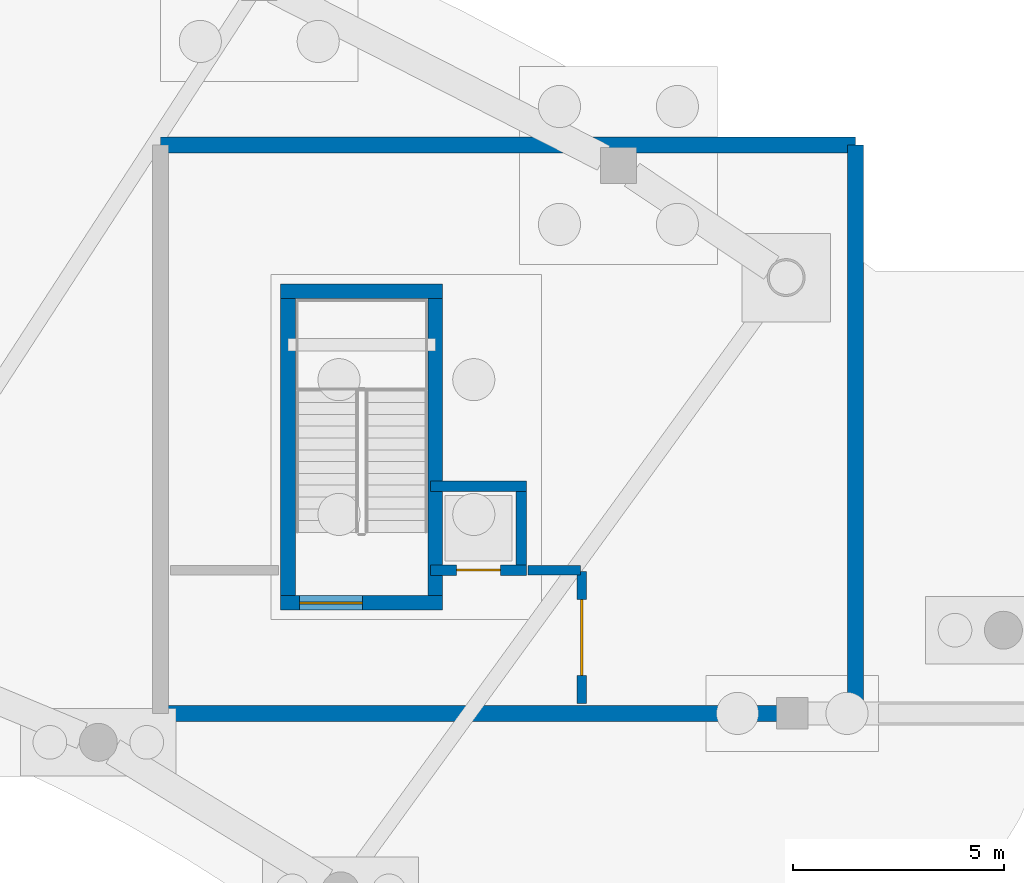
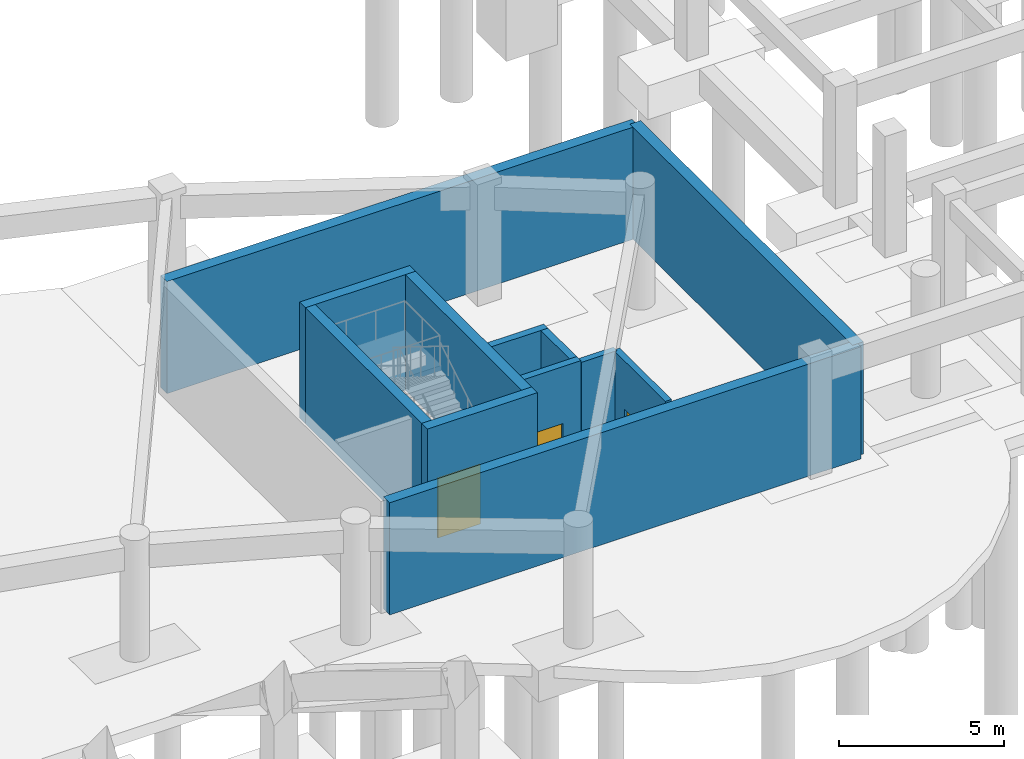
# One storey, part 18 of 28: 12 walls, 3 doors, 3 openings.
"""IFC4 building model written with IfcOpenShell, lengths in metres."""

from ifc_helpers import new_model, si_unit, direction, frame, frame_2d, origin, place, context, subcontext, project, spatial, rectangle, extrude, material, layer, layer_set, type_object, element, fill, save


model = new_model("IFC4")

# Units and contexts
model_context = context("Model", 3, precision=1e-05, world=origin(), true_north=direction((0.0, 1.0)))
body_context = subcontext(model_context, "Body", "Model", "MODEL_VIEW")
ifc_project = project(units=[si_unit("LENGTHUNIT", "METRE"), si_unit("AREAUNIT", "SQUARE_METRE"), si_unit("VOLUMEUNIT", "CUBIC_METRE"), si_unit("PLANEANGLEUNIT", "RADIAN"), si_unit("MASSUNIT", "GRAM", prefix="KILO")], contexts=[model_context])

# Site, building, storey
site_placement = place(None, origin())
site = spatial("IfcSite", under=ifc_project, at=site_placement, CompositionType="ELEMENT")
building_placement = place(site_placement, origin())
building = spatial("IfcBuilding", under=site, at=building_placement, Name="Miralva Faculty of Natural Sciences", CompositionType="ELEMENT")
storey_placement = place(building_placement, frame((0.0, 0.0, -4.5)))
storey = spatial("IfcBuildingStorey", under=building, at=storey_placement, Name="B1", CompositionType="ELEMENT", Elevation=-4.5)

# Wall, opening, door
ifc_material_1 = material(Name="Concrete C50/60", Category="concrete")
ifc_layer_1 = layer(ifc_material_1, 0.35009765625, Name="WL-CW02")
ifc_layer_set_1 = layer_set([ifc_layer_1], Name="Concrete C50/60")
wall_type_1 = type_object("IfcWallType", Name="WL-CW02", PredefinedType="SHEAR", material=ifc_layer_set_1)
wall_1_placement = place(storey_placement, frame((113.85009765625, 20.625, 0.0), z_axis=(0.0, 0.0, 1.0), x_axis=(1.0, 0.0, 0.0)))
wall_1 = element("IfcWall", 1, at=wall_1_placement, inside=storey, type_object=wall_type_1, Name="Core C3 shear wall south B1", PredefinedType="SHEAR", context=body_context, shape_type="SweptSolid", body=[
    extrude(rectangle(XDim=3.849853515625, YDim=0.35009765625, at=frame_2d((1.9248046875, 0.0))), origin(), (0.0, 0.0, 1.0), 4.280029296875),
])
opening_1_placement = place(wall_1_placement, frame((0.449951171875, 0.0, 0.0)))
opening_1 = element("IfcOpeningElement", 2, at=opening_1_placement, cuts=wall_1, Name="Opening D-11", PredefinedType="OPENING", context=body_context, shape_type="SweptSolid", body=[
    extrude(rectangle(XDim=1.5, YDim=2.199951171875, at=frame_2d((0.75, 1.10009765625))), frame((0.0, 0.18505859375, 0.0), z_axis=(0.0, -1.0, 0.0), x_axis=(1.0, 0.0, 0.0)), (0.0, 0.0, 1.0), 0.3701171875),
])
ifc_material_2 = material(Name="Galvanised steel", Category="steel")
door_type_1 = type_object("IfcDoorType", Name="DR-DI11", OperationType="DOUBLE_DOOR_SINGLE_SWING", PredefinedType="DOOR", material=ifc_material_2)
door_1_placement = place(opening_1_placement, frame((1.5, 0.0, 0.0), z_axis=(0.0, 0.0, 1.0), x_axis=(-1.0, 0.0, 0.0)))
door_1 = element("IfcDoor", 3, at=door_1_placement, inside=storey, type_object=door_type_1, Name="Protected exit stair door Core C3 B1", OperationType="DOUBLE_DOOR_SINGLE_SWING", OverallHeight=2.199951171875, OverallWidth=1.5, PredefinedType="DOOR", context=body_context, shape_type="SweptSolid", body=[
    extrude(rectangle(XDim=1.5, YDim=2.199951171875, at=frame_2d((0.75, 1.10009765625))), frame((0.0, 0.02490234375, 0.0), z_axis=(0.0, -1.0, 0.0), x_axis=(1.0, 0.0, 0.0)), (0.0, 0.0, 1.0), 0.050048828125),
])
fill(opening_1, door_1)

# Walls
wall_2_placement = place(storey_placement, frame((113.85009765625, 28.02490234375, 0.0), z_axis=(0.0, 0.0, 1.0), x_axis=(1.0, 0.0, 0.0)))
element("IfcWall", 4, at=wall_2_placement, inside=storey, type_object=wall_type_1, Name="Core C3 shear wall north B1", PredefinedType="SHEAR", context=body_context, shape_type="SweptSolid", body=[
    extrude(rectangle(XDim=3.849853515625, YDim=0.35009765625, at=frame_2d((1.9248046875, 0.0))), origin(), (0.0, 0.0, 1.0), 4.280029296875),
])
for number, where, z_axis, x_axis, name in (
    (5, (114.02490234375, 20.800048828125, 0.0), (0.0, 0.0, 1.0), (0.0, 1.0, 0.0), "Core C3 shear wall west B1"),
    (6, (117.52490234375, 20.800048828125, 0.0), (0.0, 0.0, 1.0), (0.0, 1.0, 0.0), "Core C3 shear wall east B1"),
):
    element("IfcWall", number, at=place(storey_placement, frame(where, z_axis=z_axis, x_axis=x_axis)), inside=storey, type_object=wall_type_1, Name=name, PredefinedType="SHEAR", context=body_context, shape_type="SweptSolid", body=[
        extrude(rectangle(XDim=7.050048828125, YDim=0.35009765625, at=frame_2d((3.52490234375, 0.0))), origin(), (0.0, 0.0, 1.0), 4.280029296875),
    ])

# Wall, opening, door
ifc_material_3 = material(Name="Concrete C40/50", Category="concrete")
ifc_layer_2 = layer(ifc_material_3, 0.25, Name="WL-CW04")
ifc_layer_set_2 = layer_set([ifc_layer_2], Name="Concrete C40/50")
wall_type_2 = type_object("IfcWallType", Name="WL-CW04", PredefinedType="SHEAR", material=ifc_layer_set_2)
wall_3_placement = place(storey_placement, frame((117.405029296875, 21.405029296875, 0.0), z_axis=(0.0, 0.0, 1.0), x_axis=(1.0, 0.0, 0.0)))
wall_3 = element("IfcWall", 7, at=wall_3_placement, inside=storey, type_object=wall_type_2, Name="Lift L-05 hoistway front wall B1", PredefinedType="SHEAR", context=body_context, shape_type="SweptSolid", body=[
    extrude(rectangle(XDim=2.2900390625, YDim=0.25, at=frame_2d((1.14501953125, 0.0))), origin(), (0.0, 0.0, 1.0), 4.260009765625),
])
opening_2_placement = place(wall_3_placement, frame((0.6201171875, 0.0, 0.0)))
opening_2 = element("IfcOpeningElement", 8, at=opening_2_placement, cuts=wall_3, Name="Opening LD-03", PredefinedType="OPENING", context=body_context, shape_type="SweptSolid", body=[
    extrude(rectangle(XDim=1.050048828125, YDim=2.14990234375, at=frame_2d((0.52490234375, 1.074951171875))), frame((0.0, 0.135009765625, 0.0), z_axis=(0.0, -1.0, 0.0), x_axis=(1.0, 0.0, 0.0)), (0.0, 0.0, 1.0), 0.27001953125),
])
door_type_2 = type_object("IfcDoorType", Name="DR-LD03", OperationType="SLIDING_TO_RIGHT", PredefinedType="DOOR", material=ifc_material_2)
door_2_placement = place(opening_2_placement, frame((1.050048828125, 0.0, 0.0), z_axis=(0.0, 0.0, 1.0), x_axis=(-1.0, 0.0, 0.0)))
door_2 = element("IfcDoor", 9, at=door_2_placement, inside=storey, type_object=door_type_2, Name="Lift L-05 sliding landing door B1", OperationType="SLIDING_TO_RIGHT", OverallHeight=2.14990234375, OverallWidth=1.050048828125, PredefinedType="DOOR", context=body_context, shape_type="SweptSolid", body=[
    extrude(rectangle(XDim=1.050048828125, YDim=2.14990234375, at=frame_2d((0.52490234375, 1.074951171875))), frame((0.0, 0.02490234375, 0.0), z_axis=(0.0, -1.0, 0.0), x_axis=(1.0, 0.0, 0.0)), (0.0, 0.0, 1.0), 0.050048828125),
])
fill(opening_2, door_2)

# Walls
wall_4_placement = place(storey_placement, frame((117.405029296875, 23.39501953125, 0.0), z_axis=(0.0, 0.0, 1.0), x_axis=(1.0, 0.0, 0.0)))
element("IfcWall", 10, at=wall_4_placement, inside=storey, type_object=wall_type_2, Name="Lift L-05 hoistway rear wall B1", PredefinedType="SHEAR", context=body_context, shape_type="SweptSolid", body=[
    extrude(rectangle(XDim=2.2900390625, YDim=0.25, at=frame_2d((1.14501953125, 0.0))), origin(), (0.0, 0.0, 1.0), 4.260009765625),
])
wall_5_placement = place(storey_placement, frame((119.570068359375, 21.530029296875, 0.0), z_axis=(0.0, 0.0, 1.0), x_axis=(0.0, 1.0, 0.0)))
element("IfcWall", 11, at=wall_5_placement, inside=storey, type_object=wall_type_2, Name="Lift L-05 hoistway E wall B1", PredefinedType="SHEAR", context=body_context, shape_type="SweptSolid", body=[
    extrude(rectangle(XDim=1.739990234375, YDim=0.25, at=frame_2d((0.8701171875, 0.0))), origin(), (0.0, 0.0, 1.0), 4.260009765625),
])
ifc_material_4 = material(Name="Concrete C35/45", Category="concrete")
ifc_layer_3 = layer(ifc_material_4, 0.219970703125, Name="WL-PT01")
ifc_layer_set_3 = layer_set([ifc_layer_3], Name="Concrete C35/45")
wall_type_3 = type_object("IfcWallType", Name="WL-PT01", PredefinedType="PARTITIONING", material=ifc_layer_set_3)
wall_6_placement = place(storey_placement, frame((119.72998046875, 21.39990234375, 0.0), z_axis=(0.0, 0.0, 1.0), x_axis=(1.0, 0.0, 0.0)))
element("IfcWall", 12, at=wall_6_placement, inside=storey, type_object=wall_type_3, Name="Interior partition PT-01 B1-36", PredefinedType="PARTITIONING", context=body_context, shape_type="SweptSolid", body=[
    extrude(rectangle(XDim=1.239990234375, YDim=0.219970703125, at=frame_2d((0.6201171875, 0.0))), origin(), (0.0, 0.0, 1.0), 4.179931640625),
])

# Wall, opening, door
wall_7_placement = place(storey_placement, frame((121.0, 18.22998046875, 0.0), z_axis=(0.0, 0.0, 1.0), x_axis=(0.0, 1.0, 0.0)))
wall_7 = element("IfcWall", 13, at=wall_7_placement, inside=storey, type_object=wall_type_3, Name="Interior partition PT-01 B1-37", PredefinedType="PARTITIONING", context=body_context, shape_type="SweptSolid", body=[
    extrude(rectangle(XDim=3.14013671875, YDim=0.219970703125, at=frame_2d((1.570068359375, 0.0))), origin(), (0.0, 0.0, 1.0), 4.179931640625),
])
opening_3_placement = place(wall_7_placement, frame((0.669921875, 0.0, 0.0)))
opening_3 = element("IfcOpeningElement", 14, at=opening_3_placement, cuts=wall_7, Name="Opening D-16", PredefinedType="OPENING", context=body_context, shape_type="SweptSolid", body=[
    extrude(rectangle(XDim=1.800048828125, YDim=2.39990234375, at=frame_2d((0.89990234375, 1.199951171875))), frame((0.0, 0.119873046875, 0.0), z_axis=(0.0, -1.0, 0.0), x_axis=(1.0, 0.0, 0.0)), (0.0, 0.0, 1.0), 0.239990234375),
])
door_type_3 = type_object("IfcDoorType", Name="DR-DI16", OperationType="DOUBLE_DOOR_SINGLE_SWING", PredefinedType="DOOR", material=ifc_material_2)
door_3_placement = place(opening_3_placement, origin())
door_3 = element("IfcDoor", 15, at=door_3_placement, inside=storey, type_object=door_type_3, Name="Interior door D-16 B1-18", OperationType="DOUBLE_DOOR_SINGLE_SWING", OverallHeight=2.39990234375, OverallWidth=1.800048828125, PredefinedType="DOOR", context=body_context, shape_type="SweptSolid", body=[
    extrude(rectangle(XDim=1.800048828125, YDim=2.39990234375, at=frame_2d((0.89990234375, 1.199951171875))), frame((0.0, 0.02490234375, 0.0), z_axis=(0.0, -1.0, 0.0), x_axis=(1.0, 0.0, 0.0)), (0.0, 0.0, 1.0), 0.050048828125),
])
fill(opening_3, door_3)

# Walls
ifc_layer_4 = layer(ifc_material_3, 0.3798828125, Name="WL-RW02")
ifc_layer_set_4 = layer_set([ifc_layer_4], Name="Concrete C40/50")
wall_type_4 = type_object("IfcWallType", Name="WL-RW02", PredefinedType="USERDEFINED", material=ifc_layer_set_4)
wall_8_placement = place(storey_placement, frame((111.0, 18.0, 0.0), z_axis=(0.0, 0.0, 1.0), x_axis=(1.0, 0.0, 0.0)))
element("IfcWall", 16, at=wall_8_placement, inside=storey, type_object=wall_type_4, Name="Exterior wall B1-9", ObjectType="RETAINING WALL", PredefinedType="USERDEFINED", context=body_context, shape_type="SweptSolid", body=[
    extrude(rectangle(XDim=16.5, YDim=0.3798828125, at=frame_2d((8.25, 0.0))), origin(), (0.0, 0.0, 1.0), 4.14990234375),
])
wall_9_placement = place(storey_placement, frame((127.5, 18.0, 0.0), z_axis=(0.0, 0.0, 1.0), x_axis=(0.0, 1.0, 0.0)))
element("IfcWall", 17, at=wall_9_placement, inside=storey, type_object=wall_type_4, Name="Exterior wall B1-10", ObjectType="RETAINING WALL", PredefinedType="USERDEFINED", context=body_context, shape_type="SweptSolid", body=[
    extrude(rectangle(XDim=13.5, YDim=0.3798828125, at=frame_2d((6.75, 0.0))), origin(), (0.0, 0.0, 1.0), 4.14990234375),
])
wall_10_placement = place(storey_placement, frame((111.0, 31.5, 0.0), z_axis=(0.0, 0.0, 1.0), x_axis=(1.0, 0.0, 0.0)))
element("IfcWall", 18, at=wall_10_placement, inside=storey, type_object=wall_type_4, Name="Exterior wall B1-11", ObjectType="RETAINING WALL", PredefinedType="USERDEFINED", context=body_context, shape_type="SweptSolid", body=[
    extrude(rectangle(XDim=16.5, YDim=0.3798828125, at=frame_2d((8.25, 0.0))), origin(), (0.0, 0.0, 1.0), 4.14990234375),
])

save(model, "model.ifc")
